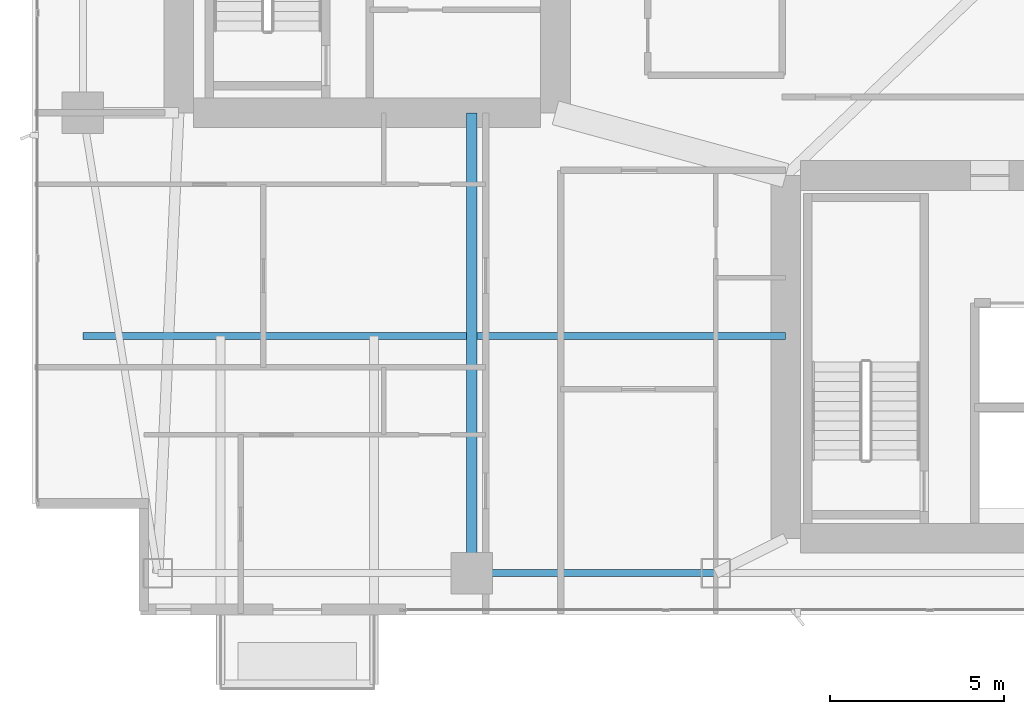
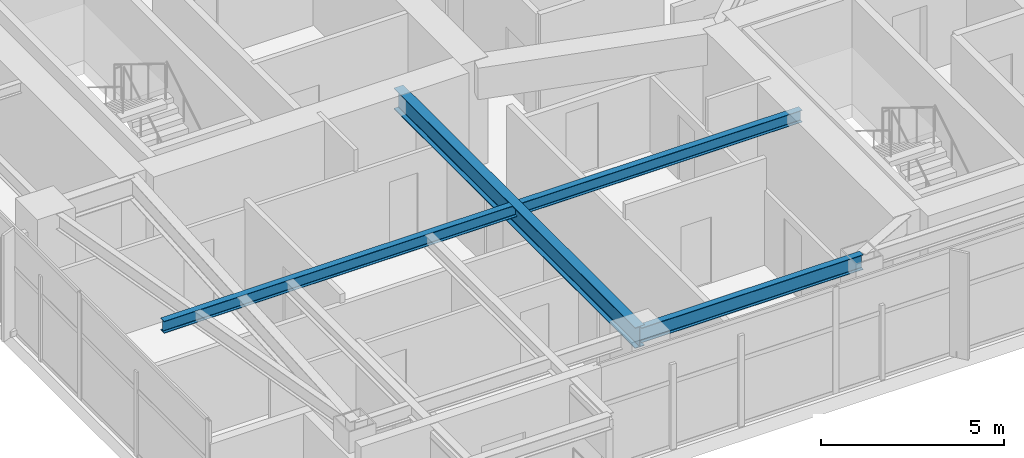
# One storey, part 5 of 28: 3 beams.
"""IFC4 building model written with IfcOpenShell, lengths in metres."""

from ifc_helpers import new_model, si_unit, direction, frame, origin, origin_2d, place, context, subcontext, project, spatial, i_section, extrude, material, material_profile, profile_set, type_object, element, save


model = new_model("IFC4")

# Units and contexts
model_context = context("Model", 3, precision=1e-05, world=origin(), true_north=direction((0.0, 1.0)))
body_context = subcontext(model_context, "Body", "Model", "MODEL_VIEW")
ifc_project = project(units=[si_unit("LENGTHUNIT", "METRE"), si_unit("AREAUNIT", "SQUARE_METRE"), si_unit("VOLUMEUNIT", "CUBIC_METRE"), si_unit("PLANEANGLEUNIT", "RADIAN"), si_unit("MASSUNIT", "GRAM", prefix="KILO")], contexts=[model_context])

# Site, building, storey
site_placement = place(None, origin())
site = spatial("IfcSite", under=ifc_project, at=site_placement, CompositionType="ELEMENT")
building_placement = place(site_placement, origin())
building = spatial("IfcBuilding", under=site, at=building_placement, Name="Calvorn Quay Hotel", CompositionType="ELEMENT")
storey_placement = place(building_placement, frame((0.0, 0.0, 97.39990234375)))
storey = spatial("IfcBuildingStorey", under=building, at=storey_placement, Name="L23", CompositionType="ELEMENT", Elevation=97.39990234375)

# Beams
ifc_material_1 = material(Name="Steel Q390GJC", Category="steel")
ifc_material_profile_1 = material_profile(ifc_material_1, i_section(OverallWidth=0.300048828125, OverallDepth=0.699951171875, WebThickness=0.012939453125, FlangeThickness=0.02392578125, FilletRadius=0.02392578125, at=origin_2d()), Name="HN700x300x13x24")
ifc_profile_set_1 = profile_set([ifc_material_profile_1], Name="Steel Q390GJC")
beam_type_1 = type_object("IfcBeamType", Name="BM-GIRD-MAIN", PredefinedType="BEAM", material=ifc_profile_set_1)
beam_1_placement = place(storey_placement, frame((12.60009765625, 3.60009765625, 3.190185546875), z_axis=(0.0, 1.0, 0.0), x_axis=(-1.0, 0.0, 0.0)))
element("IfcBeam", 1, at=beam_1_placement, inside=storey, type_object=beam_type_1, Name="Beam BG-L23-S1", PredefinedType="BEAM", context=body_context, shape_type="SweptSolid", body=[
    extrude(i_section(OverallWidth=0.300048828125, OverallDepth=0.699951171875, WebThickness=0.012939453125, FlangeThickness=0.02392578125, FilletRadius=0.02392578125, at=origin_2d()), origin(), (0.0, 0.0, 1.0), 13.199951171875),
])
ifc_material_2 = material(Name="Steel Q355B", Category="steel")
ifc_material_profile_2 = material_profile(ifc_material_2, i_section(OverallWidth=0.199951171875, OverallDepth=0.39990234375, WebThickness=0.008056640625, FlangeThickness=0.012939453125, FilletRadius=0.01611328125, at=origin_2d()), Name="HN400x200x8x13")
ifc_profile_set_2 = profile_set([ifc_material_profile_2], Name="Steel Q355B")
beam_type_2 = type_object("IfcBeamType", Name="BM-JOIST-TYP", PredefinedType="JOIST", material=ifc_profile_set_2)
beam_2_placement = place(storey_placement, frame((1.449951171875, 10.39990234375, 3.340087890625), z_axis=(1.0, 0.0, 0.0), x_axis=(0.0, 1.0, 0.0)))
element("IfcBeam", 2, at=beam_2_placement, inside=storey, type_object=beam_type_2, Name="Beam BJ-L23-W1", PredefinedType="JOIST", context=body_context, shape_type="SweptSolid", body=[
    extrude(i_section(OverallWidth=0.199951171875, OverallDepth=0.39990234375, WebThickness=0.008056640625, FlangeThickness=0.012939453125, FilletRadius=0.01611328125, at=origin_2d()), origin(), (0.0, 0.0, 1.0), 20.150146484375),
])
ifc_material_3 = material(Name="Steel Q355B", Category="steel")
ifc_material_profile_3 = material_profile(ifc_material_3, i_section(OverallWidth=0.199951171875, OverallDepth=0.5, WebThickness=0.010009765625, FlangeThickness=0.01611328125, FilletRadius=0.01611328125, at=origin_2d()), Name="HN500x200x10x16")
ifc_profile_set_3 = profile_set([ifc_material_profile_3], Name="Steel Q355B")
beam_type_3 = type_object("IfcBeamType", Name="BM-SPANDREL-Z1", PredefinedType="SPANDREL", material=ifc_profile_set_3)
beam_3_placement = place(storey_placement, frame((12.60009765625, 3.60009765625, 3.2900390625), z_axis=(1.0, 0.0, 0.0), x_axis=(0.0, 1.0, 0.0)))
element("IfcBeam", 3, at=beam_3_placement, inside=storey, type_object=beam_type_3, Name="Beam BSP-L23-S2", PredefinedType="SPANDREL", context=body_context, shape_type="SweptSolid", body=[
    extrude(i_section(OverallWidth=0.199951171875, OverallDepth=0.5, WebThickness=0.010009765625, FlangeThickness=0.01611328125, FilletRadius=0.01611328125, at=origin_2d()), origin(), (0.0, 0.0, 1.0), 7.0),
])

save(model, "model.ifc")
